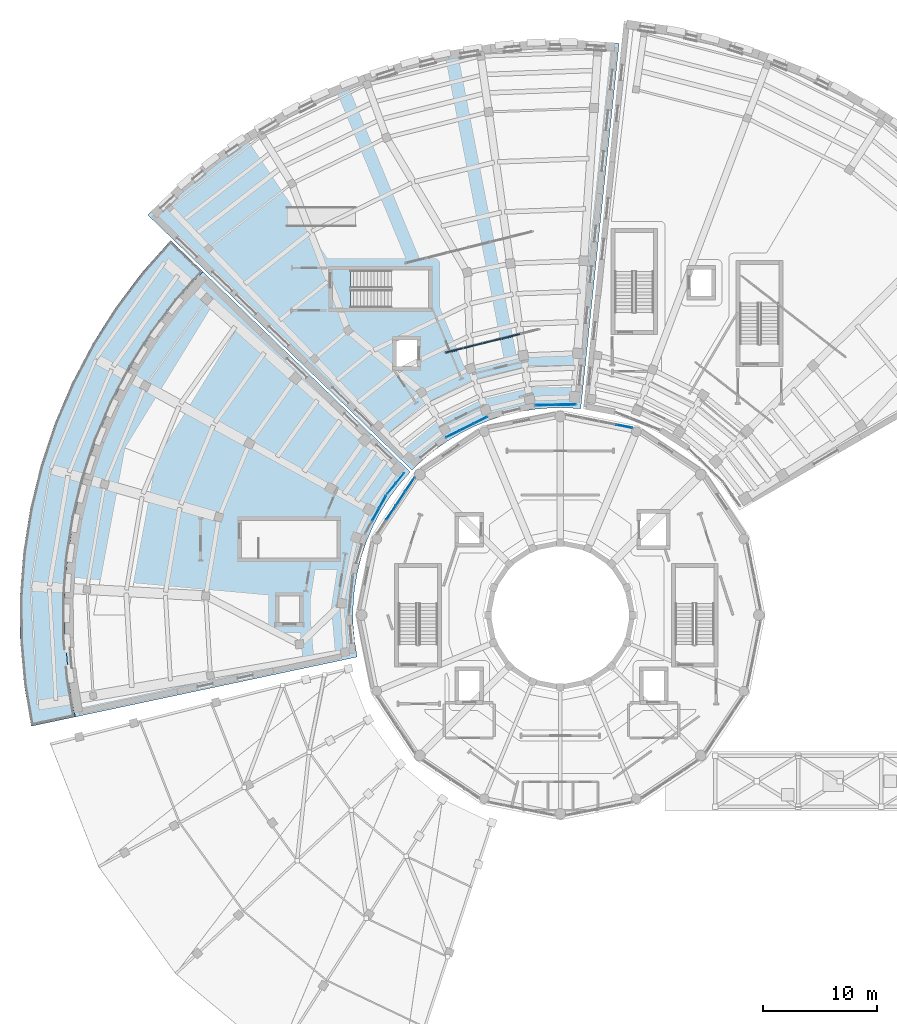
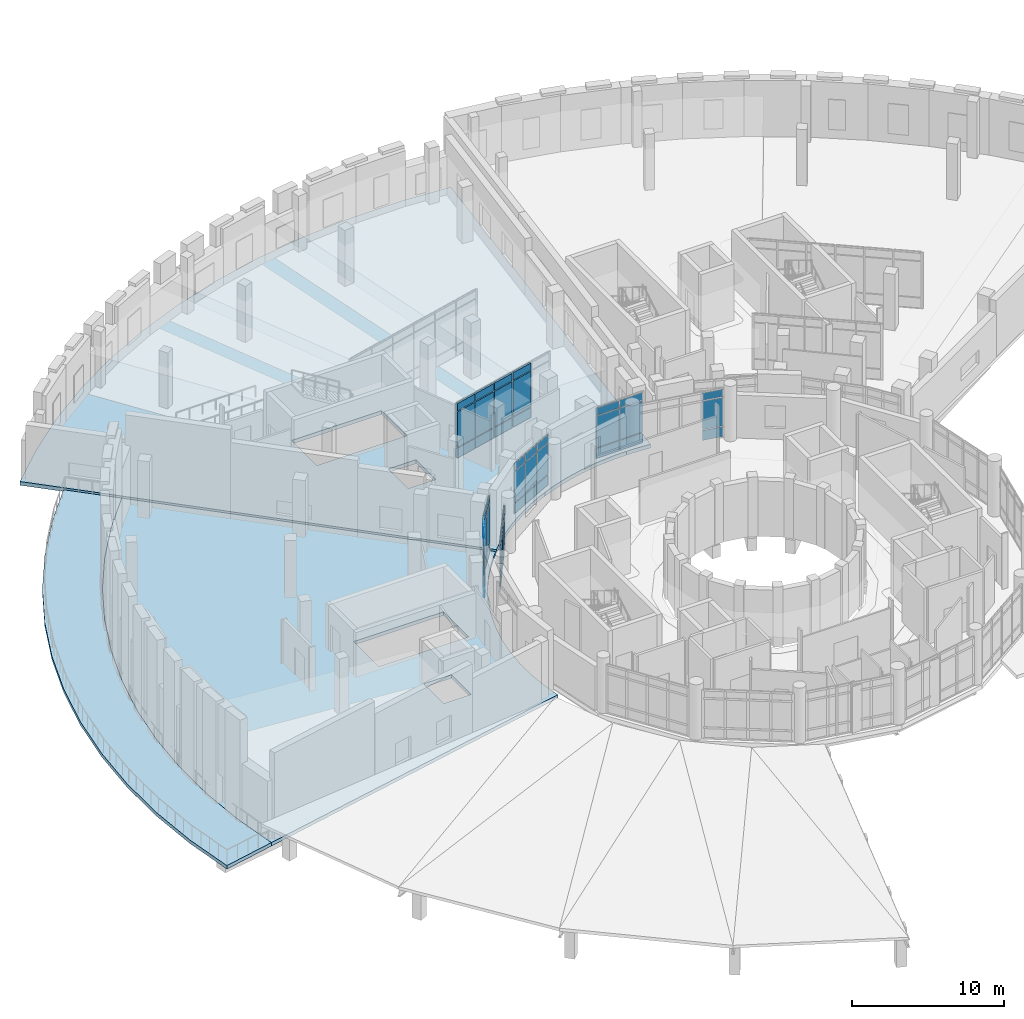
# One storey, part 40 of 75: 51 plates, 3 slabs, 7 elements without a shape of their own.
"""IFC4 building model written with IfcOpenShell, lengths in metres."""

from ifc_helpers import new_model, si_unit, direction, frame, origin, origin_2d, place, context, subcontext, project, spatial, polyline, rectangle, outline, extrude, material, layer, layer_set, type_object, element, aggregate, save


model = new_model("IFC4")

# Units and contexts
model_context = context("Model", 3, precision=1e-05, world=origin(), true_north=direction((0.0, 1.0)))
body_context = subcontext(model_context, "Body", "Model", "MODEL_VIEW")
ifc_project = project(units=[si_unit("LENGTHUNIT", "METRE"), si_unit("AREAUNIT", "SQUARE_METRE"), si_unit("VOLUMEUNIT", "CUBIC_METRE"), si_unit("PLANEANGLEUNIT", "RADIAN"), si_unit("MASSUNIT", "GRAM", prefix="KILO")], contexts=[model_context])

# Site, building, storey
site_placement = place(None, origin())
site = spatial("IfcSite", under=ifc_project, at=site_placement, CompositionType="ELEMENT")
building_placement = place(site_placement, origin())
building = spatial("IfcBuilding", under=site, at=building_placement, Name="Soyqirgoq Riverine Aquarium", CompositionType="ELEMENT")
storey_placement = place(building_placement, frame((0.0, 0.0, 10.199951171875)))
storey = spatial("IfcBuildingStorey", under=building, at=storey_placement, Name="L03", CompositionType="ELEMENT", Elevation=10.199951171875)

# Curtain wall, plates
ifc_material_1 = material(Name="Cast polymethyl methacrylate PMMA Habitat Viewing Glazing", Category="glass")
curtain_wall_type_1 = type_object("IfcCurtainWallType", Name="CW_Interior_TankVitrine", PredefinedType="NOTDEFINED", material=ifc_material_1)
curtain_wall_1_placement = place(storey_placement, origin())
curtain_wall_1 = element("IfcCurtainWall", 1, at=curtain_wall_1_placement, inside=storey, type_object=curtain_wall_type_1, Name="V4 L03 Curtain Wall 155", PredefinedType="NOTDEFINED")
ifc_material_2 = material(Name="Cast polymethyl methacrylate PMMA", Category="glass")
ifc_layer_1 = layer(ifc_material_2, 0.1201171875)
ifc_layer_set_1 = layer_set([ifc_layer_1], Name="Cast polymethyl methacrylate PMMA")
plate_type_1 = type_object("IfcPlateType", Name="CWAcrylicPanel_120", PredefinedType="CURTAIN_PANEL", material=ifc_layer_set_1)
plate_1_placement = place(storey_placement, frame((51.65576171875, 81.49365234375, 0.074951171875), z_axis=(0.0, 0.0, 1.0), x_axis=(-0.970295694292, -0.241922023881, 0.0)))
plate_1 = element("IfcPlate", 2, at=plate_1_placement, type_object=plate_type_1, Name="CW-07 panel 2.1", PredefinedType="CURTAIN_PANEL", context=body_context, shape_type="SweptSolid", body=[
    extrude(rectangle(XDim=1.63037109375, YDim=0.1201171875, at=origin_2d()), origin(), (0.0, 0.0, 1.0), 0.78759765625),
])
plate_2_placement = place(storey_placement, frame((51.65576171875, 81.49365234375, 0.9375), z_axis=(0.0, 0.0, 1.0), x_axis=(-0.970295694292, -0.241922023881, 0.0)))
plate_2 = element("IfcPlate", 3, at=plate_2_placement, type_object=plate_type_1, Name="CW-07 panel 2.2", PredefinedType="CURTAIN_PANEL", context=body_context, shape_type="SweptSolid", body=[
    extrude(rectangle(XDim=1.63037109375, YDim=0.1201171875, at=origin_2d()), origin(), (0.0, 0.0, 1.0), 2.844970703125),
])
plate_3_placement = place(storey_placement, frame((51.65576171875, 81.49365234375, 3.857666015625), z_axis=(0.0, 0.0, 1.0), x_axis=(-0.970295694292, -0.241922023881, 0.0)))
plate_3 = element("IfcPlate", 4, at=plate_3_placement, type_object=plate_type_1, Name="CW-07 panel 2.3", PredefinedType="CURTAIN_PANEL", context=body_context, shape_type="SweptSolid", body=[
    extrude(rectangle(XDim=1.63037109375, YDim=0.1201171875, at=origin_2d()), origin(), (0.0, 0.0, 1.0), 0.58740234375),
])
plate_4_placement = place(storey_placement, frame((49.99609375, 81.079833984375, 0.074951171875), z_axis=(0.0, 0.0, 1.0), x_axis=(-0.970295694292, -0.241922023881, 0.0)))
plate_4 = element("IfcPlate", 5, at=plate_4_placement, type_object=plate_type_1, Name="CW-07 panel 3.1", PredefinedType="CURTAIN_PANEL", context=body_context, shape_type="SweptSolid", body=[
    extrude(rectangle(XDim=1.63037109375, YDim=0.1201171875, at=origin_2d()), origin(), (0.0, 0.0, 1.0), 0.78759765625),
])
plate_5_placement = place(storey_placement, frame((49.99609375, 81.079833984375, 0.9375), z_axis=(0.0, 0.0, 1.0), x_axis=(-0.970295694292, -0.241922023881, 0.0)))
plate_5 = element("IfcPlate", 6, at=plate_5_placement, type_object=plate_type_1, Name="CW-07 panel 3.2", PredefinedType="CURTAIN_PANEL", context=body_context, shape_type="SweptSolid", body=[
    extrude(rectangle(XDim=1.63037109375, YDim=0.1201171875, at=origin_2d()), origin(), (0.0, 0.0, 1.0), 2.844970703125),
])
plate_6_placement = place(storey_placement, frame((49.99609375, 81.079833984375, 3.857666015625), z_axis=(0.0, 0.0, 1.0), x_axis=(-0.970295694292, -0.241922023881, 0.0)))
plate_6 = element("IfcPlate", 7, at=plate_6_placement, type_object=plate_type_1, Name="CW-07 panel 3.3", PredefinedType="CURTAIN_PANEL", context=body_context, shape_type="SweptSolid", body=[
    extrude(rectangle(XDim=1.63037109375, YDim=0.1201171875, at=origin_2d()), origin(), (0.0, 0.0, 1.0), 0.58740234375),
])
plate_7_placement = place(storey_placement, frame((48.336669921875, 80.666259765625, 0.074951171875), z_axis=(0.0, 0.0, 1.0), x_axis=(-0.970295694292, -0.241922023881, 0.0)))
plate_7 = element("IfcPlate", 8, at=plate_7_placement, type_object=plate_type_1, Name="CW-07 panel 4.1", PredefinedType="CURTAIN_PANEL", context=body_context, shape_type="SweptSolid", body=[
    extrude(rectangle(XDim=1.63037109375, YDim=0.1201171875, at=origin_2d()), origin(), (0.0, 0.0, 1.0), 0.78759765625),
])
plate_8_placement = place(storey_placement, frame((48.336669921875, 80.666259765625, 0.9375), z_axis=(0.0, 0.0, 1.0), x_axis=(-0.970295694292, -0.241922023881, 0.0)))
plate_8 = element("IfcPlate", 9, at=plate_8_placement, type_object=plate_type_1, Name="CW-07 panel 4.2", PredefinedType="CURTAIN_PANEL", context=body_context, shape_type="SweptSolid", body=[
    extrude(rectangle(XDim=1.63037109375, YDim=0.1201171875, at=origin_2d()), origin(), (0.0, 0.0, 1.0), 2.844970703125),
])
plate_9_placement = place(storey_placement, frame((48.336669921875, 80.666259765625, 3.857666015625), z_axis=(0.0, 0.0, 1.0), x_axis=(-0.970295694292, -0.241922023881, 0.0)))
plate_9 = element("IfcPlate", 10, at=plate_9_placement, type_object=plate_type_1, Name="CW-07 panel 4.3", PredefinedType="CURTAIN_PANEL", context=body_context, shape_type="SweptSolid", body=[
    extrude(rectangle(XDim=1.63037109375, YDim=0.1201171875, at=origin_2d()), origin(), (0.0, 0.0, 1.0), 0.58740234375),
])
plate_10_placement = place(storey_placement, frame((46.6962890625, 80.25732421875, 0.074951171875), z_axis=(0.0, 0.0, 1.0), x_axis=(-0.970295694292, -0.241922023881, 0.0)))
plate_10 = element("IfcPlate", 11, at=plate_10_placement, type_object=plate_type_1, Name="CW-07 panel 5.1", PredefinedType="CURTAIN_PANEL", context=body_context, shape_type="SweptSolid", body=[
    extrude(rectangle(XDim=1.59033203125, YDim=0.1201171875, at=origin_2d()), origin(), (0.0, 0.0, 1.0), 0.78759765625),
])
plate_11_placement = place(storey_placement, frame((46.6962890625, 80.25732421875, 0.9375), z_axis=(0.0, 0.0, 1.0), x_axis=(-0.970295694292, -0.241922023881, 0.0)))
plate_11 = element("IfcPlate", 12, at=plate_11_placement, type_object=plate_type_1, Name="CW-07 panel 5.2", PredefinedType="CURTAIN_PANEL", context=body_context, shape_type="SweptSolid", body=[
    extrude(rectangle(XDim=1.59033203125, YDim=0.1201171875, at=origin_2d()), origin(), (0.0, 0.0, 1.0), 2.844970703125),
])
plate_12_placement = place(storey_placement, frame((46.6962890625, 80.25732421875, 3.857666015625), z_axis=(0.0, 0.0, 1.0), x_axis=(-0.970295694292, -0.241922023881, 0.0)))
plate_12 = element("IfcPlate", 13, at=plate_12_placement, type_object=plate_type_1, Name="CW-07 panel 5.3", PredefinedType="CURTAIN_PANEL", context=body_context, shape_type="SweptSolid", body=[
    extrude(rectangle(XDim=1.59033203125, YDim=0.1201171875, at=origin_2d()), origin(), (0.0, 0.0, 1.0), 0.58740234375),
])
aggregate(curtain_wall_1, [plate_1, plate_2, plate_3, plate_4, plate_5, plate_6, plate_7, plate_8, plate_9, plate_10, plate_11, plate_12])

ifc_material_3 = material(Name="Anodised aluminium thermally broken triple low-E glazing", Category="aluminium")
curtain_wall_type_2 = type_object("IfcCurtainWallType", Name="CW_DrumGallery_Unitised", PredefinedType="NOTDEFINED", material=ifc_material_3)
curtain_wall_2_placement = place(storey_placement, origin())
curtain_wall_2 = element("IfcCurtainWall", 14, at=curtain_wall_2_placement, inside=storey, type_object=curtain_wall_type_2, Name="V1 L03 Curtain Wall 014", PredefinedType="NOTDEFINED")
ifc_material_4 = material(Name="Triple insulated laminated low-E glass", Category="glass")
ifc_layer_2 = layer(ifc_material_4, 0.0458984375)
ifc_layer_set_2 = layer_set([ifc_layer_2], Name="Triple insulated laminated low-E glass")
plate_type_2 = type_object("IfcPlateType", Name="CWGlazedPanel_46", PredefinedType="CURTAIN_PANEL", material=ifc_layer_set_2)
plate_13_placement = place(storey_placement, frame((61.609130859375, 73.584228515625, 0.074951171875), z_axis=(0.0, 0.0, 1.0), x_axis=(-0.980784364221, 0.195094927919, 0.0)))
plate_13 = element("IfcPlate", 15, at=plate_13_placement, type_object=plate_type_2, Name="CW-01 panel 1.1", PredefinedType="CURTAIN_PANEL", context=body_context, shape_type="SweptSolid", body=[
    extrude(rectangle(XDim=1.404541015625, YDim=0.0458984375, at=origin_2d()), origin(), (0.0, 0.0, 1.0), 0.78759765625),
])
plate_14_placement = place(storey_placement, frame((61.609130859375, 73.584228515625, 0.9375), z_axis=(0.0, 0.0, 1.0), x_axis=(-0.980784364221, 0.195094927919, 0.0)))
plate_14 = element("IfcPlate", 16, at=plate_14_placement, type_object=plate_type_2, Name="CW-01 panel 1.2", PredefinedType="CURTAIN_PANEL", context=body_context, shape_type="SweptSolid", body=[
    extrude(rectangle(XDim=1.404541015625, YDim=0.0458984375, at=origin_2d()), origin(), (0.0, 0.0, 1.0), 2.27490234375),
])
plate_15_placement = place(storey_placement, frame((61.609130859375, 73.584228515625, 3.28759765625), z_axis=(0.0, 0.0, 1.0), x_axis=(-0.980784364221, 0.195094927919, 0.0)))
plate_15 = element("IfcPlate", 17, at=plate_15_placement, type_object=plate_type_2, Name="CW-01 panel 1.3", PredefinedType="CURTAIN_PANEL", context=body_context, shape_type="SweptSolid", body=[
    extrude(rectangle(XDim=1.404541015625, YDim=0.0458984375, at=origin_2d()), origin(), (0.0, 0.0, 1.0), 0.58740234375),
])
aggregate(curtain_wall_2, [plate_13, plate_14, plate_15])

curtain_wall_3_placement = place(storey_placement, origin())
curtain_wall_3 = element("IfcCurtainWall", 18, at=curtain_wall_3_placement, inside=storey, type_object=curtain_wall_type_2, Name="V1 L03 Curtain Wall 025", PredefinedType="NOTDEFINED")
plate_16_placement = place(storey_placement, frame((42.792236328125, 68.480224609375, 0.074951171875), z_axis=(0.0, 0.0, 1.0), x_axis=(-0.555571799605, -0.831468565541, 0.0)))
plate_16 = element("IfcPlate", 19, at=plate_16_placement, type_object=plate_type_2, Name="CW-01 panel 1.1", PredefinedType="CURTAIN_PANEL", context=body_context, shape_type="SweptSolid", body=[
    extrude(rectangle(XDim=1.404541015625, YDim=0.0458984375, at=origin_2d()), origin(), (0.0, 0.0, 1.0), 0.78759765625),
])
plate_17_placement = place(storey_placement, frame((42.792236328125, 68.480224609375, 0.9375), z_axis=(0.0, 0.0, 1.0), x_axis=(-0.555571799605, -0.831468565541, 0.0)))
plate_17 = element("IfcPlate", 20, at=plate_17_placement, type_object=plate_type_2, Name="CW-01 panel 1.2", PredefinedType="CURTAIN_PANEL", context=body_context, shape_type="SweptSolid", body=[
    extrude(rectangle(XDim=1.404541015625, YDim=0.0458984375, at=origin_2d()), origin(), (0.0, 0.0, 1.0), 2.27490234375),
])
plate_18_placement = place(storey_placement, frame((42.792236328125, 68.480224609375, 3.28759765625), z_axis=(0.0, 0.0, 1.0), x_axis=(-0.555571799605, -0.831468565541, 0.0)))
plate_18 = element("IfcPlate", 21, at=plate_18_placement, type_object=plate_type_2, Name="CW-01 panel 1.3", PredefinedType="CURTAIN_PANEL", context=body_context, shape_type="SweptSolid", body=[
    extrude(rectangle(XDim=1.404541015625, YDim=0.0458984375, at=origin_2d()), origin(), (0.0, 0.0, 1.0), 0.58740234375),
])
plate_19_placement = place(storey_placement, frame((41.966796875, 67.244873046875, 0.074951171875), z_axis=(0.0, 0.0, 1.0), x_axis=(-0.555571799605, -0.831468565541, 0.0)))
plate_19 = element("IfcPlate", 22, at=plate_19_placement, type_object=plate_type_2, Name="CW-01 panel 2.1", PredefinedType="CURTAIN_PANEL", context=body_context, shape_type="SweptSolid", body=[
    extrude(rectangle(XDim=1.43701171875, YDim=0.0458984375, at=origin_2d()), origin(), (0.0, 0.0, 1.0), 0.78759765625),
])
plate_20_placement = place(storey_placement, frame((41.966796875, 67.244873046875, 0.9375), z_axis=(0.0, 0.0, 1.0), x_axis=(-0.555571799605, -0.831468565541, 0.0)))
plate_20 = element("IfcPlate", 23, at=plate_20_placement, type_object=plate_type_2, Name="CW-01 panel 2.2", PredefinedType="CURTAIN_PANEL", context=body_context, shape_type="SweptSolid", body=[
    extrude(rectangle(XDim=1.43701171875, YDim=0.0458984375, at=origin_2d()), origin(), (0.0, 0.0, 1.0), 2.27490234375),
])
plate_21_placement = place(storey_placement, frame((41.966796875, 67.244873046875, 3.28759765625), z_axis=(0.0, 0.0, 1.0), x_axis=(-0.555571799605, -0.831468565541, 0.0)))
plate_21 = element("IfcPlate", 24, at=plate_21_placement, type_object=plate_type_2, Name="CW-01 panel 2.3", PredefinedType="CURTAIN_PANEL", context=body_context, shape_type="SweptSolid", body=[
    extrude(rectangle(XDim=1.43701171875, YDim=0.0458984375, at=origin_2d()), origin(), (0.0, 0.0, 1.0), 0.58740234375),
])
plate_22_placement = place(storey_placement, frame((41.13232421875, 65.99609375, 0.074951171875), z_axis=(0.0, 0.0, 1.0), x_axis=(-0.555571799605, -0.831468565541, 0.0)))
plate_22 = element("IfcPlate", 25, at=plate_22_placement, type_object=plate_type_2, Name="CW-01 panel 3.1", PredefinedType="CURTAIN_PANEL", context=body_context, shape_type="SweptSolid", body=[
    extrude(rectangle(XDim=1.43701171875, YDim=0.0458984375, at=origin_2d()), origin(), (0.0, 0.0, 1.0), 0.78759765625),
])
plate_23_placement = place(storey_placement, frame((41.13232421875, 65.99609375, 0.9375), z_axis=(0.0, 0.0, 1.0), x_axis=(-0.555571799605, -0.831468565541, 0.0)))
plate_23 = element("IfcPlate", 26, at=plate_23_placement, type_object=plate_type_2, Name="CW-01 panel 3.2", PredefinedType="CURTAIN_PANEL", context=body_context, shape_type="SweptSolid", body=[
    extrude(rectangle(XDim=1.43701171875, YDim=0.0458984375, at=origin_2d()), origin(), (0.0, 0.0, 1.0), 2.27490234375),
])
plate_24_placement = place(storey_placement, frame((41.13232421875, 65.99609375, 3.28759765625), z_axis=(0.0, 0.0, 1.0), x_axis=(-0.555571799605, -0.831468565541, 0.0)))
plate_24 = element("IfcPlate", 27, at=plate_24_placement, type_object=plate_type_2, Name="CW-01 panel 3.3", PredefinedType="CURTAIN_PANEL", context=body_context, shape_type="SweptSolid", body=[
    extrude(rectangle(XDim=1.43701171875, YDim=0.0458984375, at=origin_2d()), origin(), (0.0, 0.0, 1.0), 0.58740234375),
])
aggregate(curtain_wall_3, [plate_16, plate_17, plate_18, plate_19, plate_20, plate_21, plate_22, plate_23, plate_24])

ifc_material_5 = material(Name="Anodised aluminium thermally broken double low-E glazing", Category="aluminium")
curtain_wall_type_3 = type_object("IfcCurtainWallType", Name="CW_Wedge_NorthBay", PredefinedType="NOTDEFINED", material=ifc_material_5)
curtain_wall_4_placement = place(storey_placement, origin())
curtain_wall_4 = element("IfcCurtainWall", 28, at=curtain_wall_4_placement, inside=storey, type_object=curtain_wall_type_3, Name="V3 L03 Curtain Wall 085", PredefinedType="NOTDEFINED")
plate_25_placement = place(storey_placement, frame((40.388427734375, 66.946533203125, 0.074951171875), z_axis=(0.0, 0.0, 1.0), x_axis=(-0.480834540141, -0.876811350866, 0.0)))
plate_25 = element("IfcPlate", 29, at=plate_25_placement, type_object=plate_type_2, Name="CW-03 panel 1.1", PredefinedType="CURTAIN_PANEL", context=body_context, shape_type="SweptSolid", body=[
    extrude(rectangle(XDim=1.165771484375, YDim=0.0458984375, at=origin_2d()), origin(), (0.0, 0.0, 1.0), 0.78759765625),
])
plate_26_placement = place(storey_placement, frame((40.388427734375, 66.946533203125, 0.9375), z_axis=(0.0, 0.0, 1.0), x_axis=(-0.480834540141, -0.876811350866, 0.0)))
plate_26 = element("IfcPlate", 30, at=plate_26_placement, type_object=plate_type_2, Name="CW-03 panel 1.2", PredefinedType="CURTAIN_PANEL", context=body_context, shape_type="SweptSolid", body=[
    extrude(rectangle(XDim=1.165771484375, YDim=0.0458984375, at=origin_2d()), origin(), (0.0, 0.0, 1.0), 3.135009765625),
])
plate_27_placement = place(storey_placement, frame((40.388427734375, 66.946533203125, 4.147705078125), z_axis=(0.0, 0.0, 1.0), x_axis=(-0.480834540141, -0.876811350866, 0.0)))
plate_27 = element("IfcPlate", 31, at=plate_27_placement, type_object=plate_type_2, Name="CW-03 panel 1.3", PredefinedType="CURTAIN_PANEL", context=body_context, shape_type="SweptSolid", body=[
    extrude(rectangle(XDim=1.165771484375, YDim=0.0458984375, at=origin_2d()), origin(), (0.0, 0.0, 1.0), 0.58740234375),
])
plate_28_placement = place(storey_placement, frame((39.77978515625, 65.8369140625, 0.074951171875), z_axis=(0.0, 0.0, 1.0), x_axis=(-0.480834540141, -0.876811350866, 0.0)))
plate_28 = element("IfcPlate", 32, at=plate_28_placement, type_object=plate_type_2, Name="CW-03 panel 2.1", PredefinedType="CURTAIN_PANEL", context=body_context, shape_type="SweptSolid", body=[
    extrude(rectangle(XDim=1.20556640625, YDim=0.0458984375, at=origin_2d()), origin(), (0.0, 0.0, 1.0), 0.78759765625),
])
plate_29_placement = place(storey_placement, frame((39.77978515625, 65.8369140625, 0.9375), z_axis=(0.0, 0.0, 1.0), x_axis=(-0.480834540141, -0.876811350866, 0.0)))
plate_29 = element("IfcPlate", 33, at=plate_29_placement, type_object=plate_type_2, Name="CW-03 panel 2.2", PredefinedType="CURTAIN_PANEL", context=body_context, shape_type="SweptSolid", body=[
    extrude(rectangle(XDim=1.20556640625, YDim=0.0458984375, at=origin_2d()), origin(), (0.0, 0.0, 1.0), 3.135009765625),
])
plate_30_placement = place(storey_placement, frame((39.77978515625, 65.8369140625, 4.147705078125), z_axis=(0.0, 0.0, 1.0), x_axis=(-0.480834540141, -0.876811350866, 0.0)))
plate_30 = element("IfcPlate", 34, at=plate_30_placement, type_object=plate_type_2, Name="CW-03 panel 2.3", PredefinedType="CURTAIN_PANEL", context=body_context, shape_type="SweptSolid", body=[
    extrude(rectangle(XDim=1.20556640625, YDim=0.0458984375, at=origin_2d()), origin(), (0.0, 0.0, 1.0), 0.58740234375),
])
aggregate(curtain_wall_4, [plate_25, plate_26, plate_27, plate_28, plate_29, plate_30])

curtain_wall_5_placement = place(storey_placement, origin())
curtain_wall_5 = element("IfcCurtainWall", 35, at=curtain_wall_5_placement, inside=storey, type_object=curtain_wall_type_3, Name="V3 L03 Curtain Wall 087", PredefinedType="NOTDEFINED")
plate_31_placement = place(storey_placement, frame((41.908203125, 69.026611328125, 0.074951171875), z_axis=(0.0, 0.0, 1.0), x_axis=(-0.62815325649, -0.778089639027, 0.0)))
plate_31 = element("IfcPlate", 36, at=plate_31_placement, type_object=plate_type_2, Name="CW-03 panel 1.1", PredefinedType="CURTAIN_PANEL", context=body_context, shape_type="SweptSolid", body=[
    extrude(rectangle(XDim=1.120849609375, YDim=0.0458984375, at=origin_2d()), origin(), (0.0, 0.0, 1.0), 0.78759765625),
])
plate_32_placement = place(storey_placement, frame((41.908203125, 69.026611328125, 0.9375), z_axis=(0.0, 0.0, 1.0), x_axis=(-0.62815325649, -0.778089639027, 0.0)))
plate_32 = element("IfcPlate", 37, at=plate_32_placement, type_object=plate_type_2, Name="CW-03 panel 1.2", PredefinedType="CURTAIN_PANEL", context=body_context, shape_type="SweptSolid", body=[
    extrude(rectangle(XDim=1.120849609375, YDim=0.0458984375, at=origin_2d()), origin(), (0.0, 0.0, 1.0), 3.135009765625),
])
plate_33_placement = place(storey_placement, frame((41.908203125, 69.026611328125, 4.147705078125), z_axis=(0.0, 0.0, 1.0), x_axis=(-0.62815325649, -0.778089639027, 0.0)))
plate_33 = element("IfcPlate", 38, at=plate_33_placement, type_object=plate_type_2, Name="CW-03 panel 1.3", PredefinedType="CURTAIN_PANEL", context=body_context, shape_type="SweptSolid", body=[
    extrude(rectangle(XDim=1.120849609375, YDim=0.0458984375, at=origin_2d()), origin(), (0.0, 0.0, 1.0), 0.58740234375),
])
plate_34_placement = place(storey_placement, frame((41.15380859375, 68.09228515625, 0.074951171875), z_axis=(0.0, 0.0, 1.0), x_axis=(-0.62815325649, -0.778089639027, 0.0)))
plate_34 = element("IfcPlate", 39, at=plate_34_placement, type_object=plate_type_2, Name="CW-03 panel 2.1", PredefinedType="CURTAIN_PANEL", context=body_context, shape_type="SweptSolid", body=[
    extrude(rectangle(XDim=1.120849609375, YDim=0.0458984375, at=origin_2d()), origin(), (0.0, 0.0, 1.0), 0.78759765625),
])
plate_35_placement = place(storey_placement, frame((41.15380859375, 68.09228515625, 0.9375), z_axis=(0.0, 0.0, 1.0), x_axis=(-0.62815325649, -0.778089639027, 0.0)))
plate_35 = element("IfcPlate", 40, at=plate_35_placement, type_object=plate_type_2, Name="CW-03 panel 2.2", PredefinedType="CURTAIN_PANEL", context=body_context, shape_type="SweptSolid", body=[
    extrude(rectangle(XDim=1.120849609375, YDim=0.0458984375, at=origin_2d()), origin(), (0.0, 0.0, 1.0), 3.135009765625),
])
plate_36_placement = place(storey_placement, frame((41.15380859375, 68.09228515625, 4.147705078125), z_axis=(0.0, 0.0, 1.0), x_axis=(-0.62815325649, -0.778089639027, 0.0)))
plate_36 = element("IfcPlate", 41, at=plate_36_placement, type_object=plate_type_2, Name="CW-03 panel 2.3", PredefinedType="CURTAIN_PANEL", context=body_context, shape_type="SweptSolid", body=[
    extrude(rectangle(XDim=1.120849609375, YDim=0.0458984375, at=origin_2d()), origin(), (0.0, 0.0, 1.0), 0.58740234375),
])
aggregate(curtain_wall_5, [plate_31, plate_32, plate_33, plate_34, plate_35, plate_36])

curtain_wall_6_placement = place(storey_placement, origin())
curtain_wall_6 = element("IfcCurtainWall", 42, at=curtain_wall_6_placement, inside=storey, type_object=curtain_wall_type_3, Name="V4 L03 Curtain Wall 091", PredefinedType="NOTDEFINED")
plate_37_placement = place(storey_placement, frame((48.983154296875, 74.11865234375, 0.074951171875), z_axis=(0.0, 0.0, 1.0), x_axis=(-0.894935772567, -0.446194983142, 0.0)))
plate_37 = element("IfcPlate", 43, at=plate_37_placement, type_object=plate_type_2, Name="CW-03 panel 1.1", PredefinedType="CURTAIN_PANEL", context=body_context, shape_type="SweptSolid", body=[
    extrude(rectangle(XDim=1.27734375, YDim=0.0458984375, at=origin_2d()), origin(), (0.0, 0.0, 1.0), 0.78759765625),
])
plate_38_placement = place(storey_placement, frame((48.983154296875, 74.11865234375, 0.9375), z_axis=(0.0, 0.0, 1.0), x_axis=(-0.894935772567, -0.446194983142, 0.0)))
plate_38 = element("IfcPlate", 44, at=plate_38_placement, type_object=plate_type_2, Name="CW-03 panel 1.2", PredefinedType="CURTAIN_PANEL", context=body_context, shape_type="SweptSolid", body=[
    extrude(rectangle(XDim=1.27734375, YDim=0.0458984375, at=origin_2d()), origin(), (0.0, 0.0, 1.0), 2.4951171875),
])
plate_39_placement = place(storey_placement, frame((48.983154296875, 74.11865234375, 3.507568359375), z_axis=(0.0, 0.0, 1.0), x_axis=(-0.894935772567, -0.446194983142, 0.0)))
plate_39 = element("IfcPlate", 45, at=plate_39_placement, type_object=plate_type_2, Name="CW-03 panel 1.3", PredefinedType="CURTAIN_PANEL", context=body_context, shape_type="SweptSolid", body=[
    extrude(rectangle(XDim=1.27734375, YDim=0.0458984375, at=origin_2d()), origin(), (0.0, 0.0, 1.0), 0.58740234375),
])
plate_40_placement = place(storey_placement, frame((47.767333984375, 73.512451171875, 0.074951171875), z_axis=(0.0, 0.0, 1.0), x_axis=(-0.894935772567, -0.446194983142, 0.0)))
plate_40 = element("IfcPlate", 46, at=plate_40_placement, type_object=plate_type_2, Name="CW-03 panel 2.1", PredefinedType="CURTAIN_PANEL", context=body_context, shape_type="SweptSolid", body=[
    extrude(rectangle(XDim=1.309814453125, YDim=0.0458984375, at=origin_2d()), origin(), (0.0, 0.0, 1.0), 0.78759765625),
])
plate_41_placement = place(storey_placement, frame((47.767333984375, 73.512451171875, 0.9375), z_axis=(0.0, 0.0, 1.0), x_axis=(-0.894935772567, -0.446194983142, 0.0)))
plate_41 = element("IfcPlate", 47, at=plate_41_placement, type_object=plate_type_2, Name="CW-03 panel 2.2", PredefinedType="CURTAIN_PANEL", context=body_context, shape_type="SweptSolid", body=[
    extrude(rectangle(XDim=1.309814453125, YDim=0.0458984375, at=origin_2d()), origin(), (0.0, 0.0, 1.0), 2.4951171875),
])
plate_42_placement = place(storey_placement, frame((47.767333984375, 73.512451171875, 3.507568359375), z_axis=(0.0, 0.0, 1.0), x_axis=(-0.894935772567, -0.446194983142, 0.0)))
plate_42 = element("IfcPlate", 48, at=plate_42_placement, type_object=plate_type_2, Name="CW-03 panel 2.3", PredefinedType="CURTAIN_PANEL", context=body_context, shape_type="SweptSolid", body=[
    extrude(rectangle(XDim=1.309814453125, YDim=0.0458984375, at=origin_2d()), origin(), (0.0, 0.0, 1.0), 0.58740234375),
])
plate_43_placement = place(storey_placement, frame((46.551513671875, 72.90625, 0.074951171875), z_axis=(0.0, 0.0, 1.0), x_axis=(-0.894935772567, -0.446194983142, 0.0)))
plate_43 = element("IfcPlate", 49, at=plate_43_placement, type_object=plate_type_2, Name="CW-03 panel 3.1", PredefinedType="CURTAIN_PANEL", context=body_context, shape_type="SweptSolid", body=[
    extrude(rectangle(XDim=1.27734375, YDim=0.0458984375, at=origin_2d()), origin(), (0.0, 0.0, 1.0), 0.78759765625),
])
plate_44_placement = place(storey_placement, frame((46.551513671875, 72.90625, 0.9375), z_axis=(0.0, 0.0, 1.0), x_axis=(-0.894935772567, -0.446194983142, 0.0)))
plate_44 = element("IfcPlate", 50, at=plate_44_placement, type_object=plate_type_2, Name="CW-03 panel 3.2", PredefinedType="CURTAIN_PANEL", context=body_context, shape_type="SweptSolid", body=[
    extrude(rectangle(XDim=1.27734375, YDim=0.0458984375, at=origin_2d()), origin(), (0.0, 0.0, 1.0), 2.4951171875),
])
plate_45_placement = place(storey_placement, frame((46.551513671875, 72.90625, 3.507568359375), z_axis=(0.0, 0.0, 1.0), x_axis=(-0.894935772567, -0.446194983142, 0.0)))
plate_45 = element("IfcPlate", 51, at=plate_45_placement, type_object=plate_type_2, Name="CW-03 panel 3.3", PredefinedType="CURTAIN_PANEL", context=body_context, shape_type="SweptSolid", body=[
    extrude(rectangle(XDim=1.27734375, YDim=0.0458984375, at=origin_2d()), origin(), (0.0, 0.0, 1.0), 0.58740234375),
])
aggregate(curtain_wall_6, [plate_37, plate_38, plate_39, plate_40, plate_41, plate_42, plate_43, plate_44, plate_45])

curtain_wall_7_placement = place(storey_placement, origin())
curtain_wall_7 = element("IfcCurtainWall", 52, at=curtain_wall_7_placement, inside=storey, type_object=curtain_wall_type_3, Name="V4 L03 Curtain Wall 090", PredefinedType="NOTDEFINED")
ifc_material_6 = material(Name="Insulated shadow-box aluminium spandrel panel", Category="aluminium")
ifc_layer_3 = layer(ifc_material_6, 0.06005859375)
ifc_layer_set_3 = layer_set([ifc_layer_3], Name="Insulated shadow-box aluminium spandrel panel")
plate_type_3 = type_object("IfcPlateType", Name="CWSpandrelPanel_60", PredefinedType="CURTAIN_PANEL", material=ifc_layer_set_3)
plate_46_placement = place(storey_placement, frame((56.50927734375, 75.481689453125, 0.074951171875), z_axis=(0.0, 0.0, 1.0), x_axis=(-0.999837892054, -0.018005266273, 0.0)))
plate_46 = element("IfcPlate", 53, at=plate_46_placement, type_object=plate_type_3, Name="CW-03 panel 1.1", PredefinedType="CURTAIN_PANEL", context=body_context, shape_type="SweptSolid", body=[
    extrude(rectangle(XDim=1.7353515625, YDim=0.06005859375, at=origin_2d()), origin(), (0.0, 0.0, 1.0), 0.78759765625),
])
plate_47_placement = place(storey_placement, frame((56.50927734375, 75.481689453125, 0.9375), z_axis=(0.0, 0.0, 1.0), x_axis=(-0.999837892054, -0.018005266273, 0.0)))
plate_47 = element("IfcPlate", 54, at=plate_47_placement, type_object=plate_type_3, Name="CW-03 panel 1.2", PredefinedType="CURTAIN_PANEL", context=body_context, shape_type="SweptSolid", body=[
    extrude(rectangle(XDim=1.7353515625, YDim=0.06005859375, at=origin_2d()), origin(), (0.0, 0.0, 1.0), 2.4951171875),
])
plate_48_placement = place(storey_placement, frame((56.50927734375, 75.481689453125, 3.507568359375), z_axis=(0.0, 0.0, 1.0), x_axis=(-0.999837892054, -0.018005266273, 0.0)))
plate_48 = element("IfcPlate", 55, at=plate_48_placement, type_object=plate_type_3, Name="CW-03 panel 1.3", PredefinedType="CURTAIN_PANEL", context=body_context, shape_type="SweptSolid", body=[
    extrude(rectangle(XDim=1.7353515625, YDim=0.06005859375, at=origin_2d()), origin(), (0.0, 0.0, 1.0), 0.58740234375),
])
plate_49_placement = place(storey_placement, frame((54.709228515625, 75.449462890625, 0.074951171875), z_axis=(0.0, 0.0, 1.0), x_axis=(-0.999837892054, -0.018005266273, 0.0)))
plate_49 = element("IfcPlate", 56, at=plate_49_placement, type_object=plate_type_3, Name="CW-03 panel 2.1", PredefinedType="CURTAIN_PANEL", context=body_context, shape_type="SweptSolid", body=[
    extrude(rectangle(XDim=1.7353515625, YDim=0.06005859375, at=origin_2d()), origin(), (0.0, 0.0, 1.0), 0.78759765625),
])
plate_50_placement = place(storey_placement, frame((54.709228515625, 75.449462890625, 0.9375), z_axis=(0.0, 0.0, 1.0), x_axis=(-0.999837892054, -0.018005266273, 0.0)))
plate_50 = element("IfcPlate", 57, at=plate_50_placement, type_object=plate_type_3, Name="CW-03 panel 2.2", PredefinedType="CURTAIN_PANEL", context=body_context, shape_type="SweptSolid", body=[
    extrude(rectangle(XDim=1.7353515625, YDim=0.06005859375, at=origin_2d()), origin(), (0.0, 0.0, 1.0), 2.4951171875),
])
plate_51_placement = place(storey_placement, frame((54.709228515625, 75.449462890625, 3.507568359375), z_axis=(0.0, 0.0, 1.0), x_axis=(-0.999837892054, -0.018005266273, 0.0)))
plate_51 = element("IfcPlate", 58, at=plate_51_placement, type_object=plate_type_3, Name="CW-03 panel 2.3", PredefinedType="CURTAIN_PANEL", context=body_context, shape_type="SweptSolid", body=[
    extrude(rectangle(XDim=1.7353515625, YDim=0.06005859375, at=origin_2d()), origin(), (0.0, 0.0, 1.0), 0.58740234375),
])
aggregate(curtain_wall_7, [plate_46, plate_47, plate_48, plate_49, plate_50, plate_51])

# Slabs
ifc_material_7 = material(Name="Concrete C35/45", Category="concrete")
ifc_layer_4 = layer(ifc_material_7, 0.280029296875)
ifc_layer_set_4 = layer_set([ifc_layer_4], Name="Concrete C35/45")
slab_type_1 = type_object("IfcSlabType", Name="FloorSlab_280_C35", PredefinedType="FLOOR", material=ifc_layer_set_4)
slab_1_placement = place(storey_placement, frame((0.0, 0.0, -0.280029296875)))
element("IfcSlab", 59, at=slab_1_placement, inside=storey, type_object=slab_type_1, Name="V3 L03 Suspended Floor Slab", PredefinedType="FLOOR", context=body_context, shape_type="SweptSolid", body=[
    extrude(outline(polyline([(41.014404296875, 67.363525390625), (41.9072265625, 68.54833984375), (42.8203125, 69.574462890625), (24.599609375, 87.170166015625), (22.315185546875, 84.603271484375), (20.18115234375, 81.771240234375), (18.28466796875, 78.77490234375), (16.637939453125, 75.63427734375), (15.25244140625, 72.3701171875), (14.13720703125, 69.00390625), (13.29931640625, 65.558349609375), (12.744384765625, 62.055908203125), (12.4765625, 58.52001953125), (12.497314453125, 54.973876953125), (12.80615234375, 51.441162109375), (13.38330078125, 48.053955078125), (38.15966796875, 53.3203125), (37.928955078125, 54.67431640625), (37.7998046875, 56.15234375), (37.79541015625, 56.901123046875), (37.775634765625, 57.0), (37.794189453125, 57.09326171875), (37.791015625, 57.635986328125), (37.9033203125, 59.115234375), (38.13525390625, 60.58056640625), (38.48583984375, 62.022216796875), (38.952392578125, 63.430419921875), (39.14501953125, 63.884033203125), (39.1630859375, 63.97412109375), (39.21875, 64.0576171875), (39.531982421875, 64.7958984375), (40.220947265625, 66.110107421875), (41.014404296875, 67.363525390625)]), holes=[polyline([(29.574951171875, 62.0), (36.39990234375, 62.0), (36.39990234375, 65.300048828125), (29.574951171875, 65.300048828125), (29.574951171875, 62.0)]), polyline([(31.14990234375, 56.199951171875), (33.25, 56.199951171875), (33.25, 58.800048828125), (31.14990234375, 58.800048828125), (31.14990234375, 56.199951171875)])]), origin(), (0.0, 0.0, 1.0), 0.280029296875),
])
ifc_material_8 = material(Name="Concrete C35/45", Category="concrete")
ifc_layer_5 = layer(ifc_material_8, 0.300048828125)
ifc_layer_set_5 = layer_set([ifc_layer_5], Name="Concrete C35/45")
slab_type_2 = type_object("IfcSlabType", Name="FloorSlab_300_C35", PredefinedType="FLOOR", material=ifc_layer_set_5)
slab_2_placement = place(storey_placement, frame((0.0, 0.0, -0.300048828125)))
element("IfcSlab", 60, at=slab_2_placement, inside=storey, type_object=slab_type_2, Name="V4 L03 Suspended Floor Slab", PredefinedType="FLOOR", context=body_context, shape_type="SweptSolid", body=[
    extrude(outline(polyline([(55.15234375, 75.2001953125), (55.91259765625, 75.206787109375), (56.0, 75.224365234375), (56.080078125, 75.20849609375), (56.52978515625, 75.21240234375), (57.794677734375, 75.127685546875), (61.1689453125, 107.230712890625), (57.46875, 107.478515625), (53.650390625, 107.4453125), (49.845703125, 107.12353515625), (46.075927734375, 106.515380859375), (42.363037109375, 105.623779296875), (38.72802734375, 104.45458984375), (35.19189453125, 103.013916015625), (31.7744140625, 101.31005859375), (28.49560546875, 99.352783203125), (25.374267578125, 97.153564453125), (22.427734375, 94.724853515625), (19.752685546875, 92.156494140625), (42.972900390625, 69.73291015625), (43.07861328125, 69.834228515625), (43.113525390625, 69.886474609375), (43.177490234375, 69.92919921875), (43.887451171875, 70.61083984375), (44.950439453125, 71.487060546875), (46.07666015625, 72.280517578125), (47.259521484375, 72.98681640625), (48.492431640625, 73.601318359375), (48.95556640625, 73.7900390625), (49.02587890625, 73.8369140625), (49.114013671875, 73.8544921875), (49.768310546875, 74.12109375), (51.079833984375, 74.543212890625), (52.41943359375, 74.86474609375), (53.779541015625, 75.084228515625), (55.15234375, 75.2001953125)]), holes=[polyline([(37.574951171875, 84.0), (44.39990234375, 84.0), (44.39990234375, 87.300048828125), (37.574951171875, 87.300048828125), (37.574951171875, 84.0)]), polyline([(41.449951171875, 78.699951171875), (43.550048828125, 78.699951171875), (43.550048828125, 81.300048828125), (41.449951171875, 81.300048828125), (41.449951171875, 78.699951171875)])]), origin(), (0.0, 0.0, 1.0), 0.300048828125),
])
ifc_material_9 = material(Name="Concrete C40/50", Category="concrete")
ifc_layer_6 = layer(ifc_material_9, 0.280029296875)
ifc_layer_set_6 = layer_set([ifc_layer_6], Name="Concrete C40/50")
slab_type_3 = type_object("IfcSlabType", Name="TerraceSlab_280_C40", PredefinedType="FLOOR", material=ifc_layer_set_6)
slab_3_placement = place(storey_placement, frame((0.0, 0.0, -0.280029296875)))
element("IfcSlab", 61, at=slab_3_placement, inside=storey, type_object=slab_type_3, Name="V3 L03 Planted Roof Garden Terrace Slab", PredefinedType="FLOOR", context=body_context, shape_type="SweptSolid", body=[
    extrude(outline(polyline([(20.18115234375, 81.771240234375), (22.315185546875, 84.603271484375), (24.599609375, 87.170166015625), (21.75830078125, 89.9140625), (19.260009765625, 87.10693359375), (16.932373046875, 84.01806640625), (14.86376953125, 80.75), (13.06787109375, 77.324462890625), (11.556640625, 73.76416015625), (10.340087890625, 70.0927734375), (9.42626953125, 66.33447265625), (8.8212890625, 62.514404296875), (8.52880859375, 58.65771484375), (8.551513671875, 54.7900390625), (8.888427734375, 50.93701171875), (9.51953125, 47.232666015625), (13.38330078125, 48.053955078125), (12.80615234375, 51.441162109375), (12.497314453125, 54.973876953125), (12.4765625, 58.52001953125), (12.744384765625, 62.055908203125), (13.29931640625, 65.558349609375), (14.13720703125, 69.00390625), (15.25244140625, 72.3701171875), (16.637939453125, 75.63427734375), (18.28466796875, 78.77490234375), (20.18115234375, 81.771240234375)])), origin(), (0.0, 0.0, 1.0), 0.280029296875),
])

save(model, "model.ifc")
